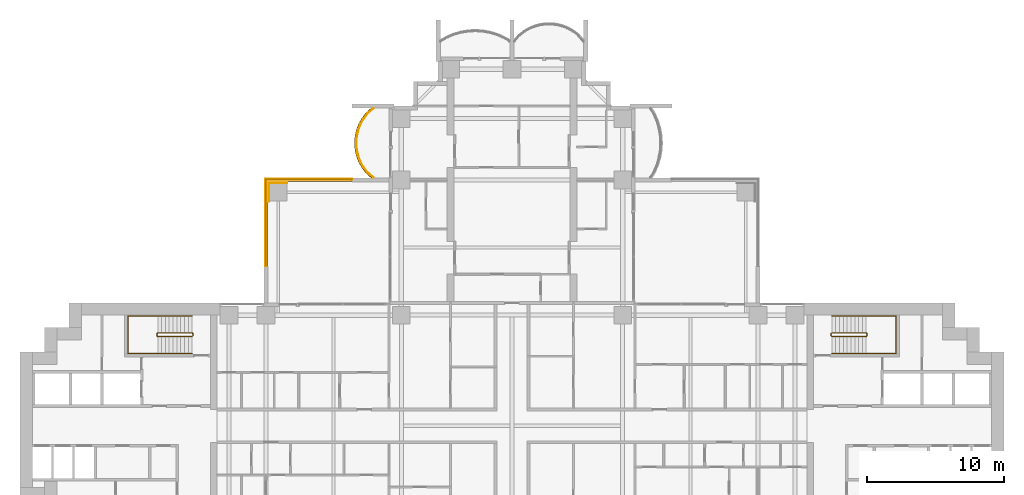
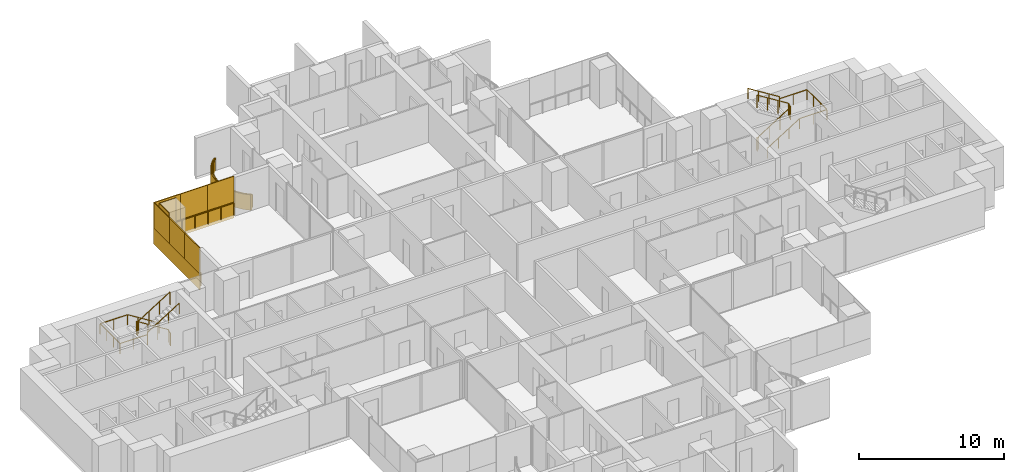
# One storey, part 20 of 21: 10 coverings, 6 railings.
"""IFC4 building model written with IfcOpenShell, lengths in metres."""

from ifc_helpers import new_model, si_unit, direction, frame, origin, origin_2d, place, context, subcontext, project, spatial, polyline, rectangle, outline, extrude, material, layer, layer_set, type_object, element, save


model = new_model("IFC4")

# Units and contexts
model_context = context("Model", 3, precision=1e-05, world=origin(), true_north=direction((0.0, 1.0)))
body_context = subcontext(model_context, "Body", "Model", "MODEL_VIEW")
ifc_project = project(units=[si_unit("LENGTHUNIT", "METRE"), si_unit("AREAUNIT", "SQUARE_METRE"), si_unit("VOLUMEUNIT", "CUBIC_METRE"), si_unit("PLANEANGLEUNIT", "RADIAN"), si_unit("MASSUNIT", "GRAM", prefix="KILO")], contexts=[model_context])

# Site, building, storey
site_placement = place(None, origin())
site = spatial("IfcSite", under=ifc_project, at=site_placement, CompositionType="ELEMENT")
building_placement = place(site_placement, origin())
building = spatial("IfcBuilding", under=site, at=building_placement, Name="Perihelion Cross Residences", CompositionType="ELEMENT")
storey_placement = place(building_placement, frame((0.0, 0.0, 57.5)))
storey = spatial("IfcBuildingStorey", under=building, at=storey_placement, Name="L11", CompositionType="ELEMENT", Elevation=57.5)

# Covering
ifc_material_1 = material(Name="Bronze anodised aluminium", Category="aluminium")
ifc_layer_1 = layer(ifc_material_1, 0.070068359375)
ifc_layer_set_1 = layer_set([ifc_layer_1], Name="Balcony fascia 1300")
covering_type_1 = type_object("IfcCoveringType", Name="Balcony fascia 1300", PredefinedType="CLADDING", material=ifc_layer_set_1)
covering_1_placement = place(storey_placement, frame((0.0, 0.0, -0.199951171875)))
element("IfcCovering", 1, at=covering_1_placement, inside=storey, type_object=covering_type_1, Name="Fascia BF1 L11 north side west bay 1", PredefinedType="CLADDING", context=body_context, shape_type="SweptSolid", body=[
    extrude(outline(polyline([(-10.674072265625, 22.90478515625), (-10.982666015625, 22.50390625), (-11.20654296875, 22.10302734375), (-11.364013671875, 21.7021484375), (-11.464599609375, 21.30126953125), (-11.513916015625, 20.900390625), (-11.513916015625, 20.49951171875), (-11.464599609375, 20.0986328125), (-11.364013671875, 19.69775390625), (-11.20654296875, 19.296875), (-10.982666015625, 18.89599609375), (-10.674072265625, 18.4951171875), (-10.302734375, 18.14990234375), (-10.199951171875, 18.14990234375), (-10.622314453125, 18.542236328125), (-10.924072265625, 18.9345703125), (-11.143310546875, 19.326904296875), (-11.29736328125, 19.71923828125), (-11.39599609375, 20.111572265625), (-11.444091796875, 20.50390625), (-11.444091796875, 20.896240234375), (-11.39599609375, 21.28857421875), (-11.29736328125, 21.6806640625), (-11.143310546875, 22.072998046875), (-10.924072265625, 22.46533203125), (-10.622314453125, 22.857666015625), (-10.199951171875, 23.25), (-10.302734375, 23.25), (-10.674072265625, 22.90478515625)])), origin(), (0.0, 0.0, 1.0), 1.300048828125),
])

# Railings
ifc_material_2 = material(Name="Bronze anodised aluminium", Category="aluminium")
railing_type_1 = type_object("IfcRailingType", Name="Balcony guard 1100", PredefinedType="GUARDRAIL", material=ifc_material_2)
railing_1_placement = place(storey_placement, frame((-10.139892578125, 23.22509765625, 0.0)))
element("IfcRailing", 2, at=railing_1_placement, inside=storey, type_object=railing_type_1, Name="Guard GU1 L11 north side west bay 1 balcony", PredefinedType="GUARDRAIL", context=body_context, shape_type="SweptSolid", body=[
    extrude(rectangle(XDim=0.048095703125, YDim=0.048095703125, at=origin_2d()), frame((0.0, 0.0, 1.076171875), z_axis=(-0.754464673757, -0.656340655493, 0.0), x_axis=(0.656340655493, -0.754464673757, 0.0)), (0.0, 0.0, 1.0), 0.559814453125),
    extrude(rectangle(XDim=0.048095703125, YDim=0.048095703125, at=origin_2d()), frame((-0.42236328125, -0.367431640625, 1.076171875), z_axis=(-0.60966308455, -0.792660660899, 0.0), x_axis=(0.792660660899, -0.60966308455, 0.0)), (0.0, 0.0, 1.0), 0.494873046875),
    extrude(rectangle(XDim=0.048095703125, YDim=0.048095703125, at=origin_2d()), frame((-0.72412109375, -0.759765625, 1.076171875), z_axis=(-0.487809182674, -0.872950285698, 0.0), x_axis=(0.872950285698, -0.487809182674, 0.0)), (0.0, 0.0, 1.0), 0.449462890625),
    extrude(rectangle(XDim=0.048095703125, YDim=0.048095703125, at=origin_2d()), frame((-0.943359375, -1.152099609375, 1.076171875), z_axis=(-0.365491079925, -0.930814842219, 0.0), x_axis=(0.930814842219, -0.365491079925, 0.0)), (0.0, 0.0, 1.0), 0.42138671875),
    extrude(rectangle(XDim=0.048095703125, YDim=0.048095703125, at=origin_2d()), frame((-1.097412109375, -1.54443359375, 1.076171875), z_axis=(-0.243956193074, -0.969786252666, 0.0), x_axis=(0.969786252666, -0.243956193074, 0.0)), (0.0, 0.0, 1.0), 0.404296875),
    extrude(rectangle(XDim=0.048095703125, YDim=0.048095703125, at=origin_2d()), frame((-1.196044921875, -1.9365234375, 1.076171875), z_axis=(-0.121677797999, -0.992569651699, 0.0), x_axis=(0.992569651699, -0.121677797999, 0.0)), (0.0, 0.0, 1.0), 0.395263671875),
    extrude(rectangle(XDim=0.048095703125, YDim=0.048095703125, at=origin_2d()), frame((-1.244140625, -2.328857421875, 1.076171875), z_axis=(0.0, -1.0, 0.0), x_axis=(1.0, 0.0, 0.0)), (0.0, 0.0, 1.0), 0.392333984375),
    extrude(rectangle(XDim=0.048095703125, YDim=0.048095703125, at=origin_2d()), frame((-1.244140625, -2.72119140625, 1.076171875), z_axis=(0.121677797999, -0.992569651699, 0.0), x_axis=(0.992569651699, 0.121677797999, 0.0)), (0.0, 0.0, 1.0), 0.395263671875),
    extrude(rectangle(XDim=0.048095703125, YDim=0.048095703125, at=origin_2d()), frame((-1.196044921875, -3.113525390625, 1.076171875), z_axis=(0.243813411509, -0.969822159145, 0.0), x_axis=(0.969822159145, 0.243813411509, 0.0)), (0.0, 0.0, 1.0), 0.404541015625),
    extrude(rectangle(XDim=0.048095703125, YDim=0.048095703125, at=origin_2d()), frame((-1.097412109375, -3.505859375, 1.076171875), z_axis=(0.365491079925, -0.930814842219, 0.0), x_axis=(0.930814842219, 0.365491079925, 0.0)), (0.0, 0.0, 1.0), 0.42138671875),
    extrude(rectangle(XDim=0.048095703125, YDim=0.048095703125, at=origin_2d()), frame((-0.943359375, -3.898193359375, 1.076171875), z_axis=(0.487809182674, -0.872950285698, 0.0), x_axis=(0.872950285698, 0.487809182674, 0.0)), (0.0, 0.0, 1.0), 0.449462890625),
    extrude(rectangle(XDim=0.048095703125, YDim=0.048095703125, at=origin_2d()), frame((-0.72412109375, -4.29052734375, 1.076171875), z_axis=(0.60966308455, -0.792660660899, 0.0), x_axis=(0.792660660899, 0.60966308455, 0.0)), (0.0, 0.0, 1.0), 0.494873046875),
    extrude(rectangle(XDim=0.048095703125, YDim=0.048095703125, at=origin_2d()), frame((-0.42236328125, -4.682861328125, 1.076171875), z_axis=(0.754680648599, -0.656092309534, 0.0), x_axis=(0.656092309534, 0.754680648599, 0.0)), (0.0, 0.0, 1.0), 0.5595703125),
    extrude(rectangle(XDim=0.0419921875, YDim=0.0419921875, at=origin_2d()), origin(), (0.0, 0.0, 1.0), 1.052001953125),
    extrude(rectangle(XDim=0.0419921875, YDim=0.0419921875, at=origin_2d()), frame((-0.42236328125, -0.367431640625, 0.0)), (0.0, 0.0, 1.0), 1.052001953125),
    extrude(rectangle(XDim=0.0419921875, YDim=0.0419921875, at=origin_2d()), frame((-0.72412109375, -0.759765625, 0.0)), (0.0, 0.0, 1.0), 1.052001953125),
    extrude(rectangle(XDim=0.0419921875, YDim=0.0419921875, at=origin_2d()), frame((-0.943359375, -1.152099609375, 0.0)), (0.0, 0.0, 1.0), 1.052001953125),
    extrude(rectangle(XDim=0.0419921875, YDim=0.0419921875, at=origin_2d()), frame((-1.097412109375, -1.54443359375, 0.0)), (0.0, 0.0, 1.0), 1.052001953125),
    extrude(rectangle(XDim=0.0419921875, YDim=0.0419921875, at=origin_2d()), frame((-1.196044921875, -1.9365234375, 0.0)), (0.0, 0.0, 1.0), 1.052001953125),
    extrude(rectangle(XDim=0.0419921875, YDim=0.0419921875, at=origin_2d()), frame((-1.244140625, -2.328857421875, 0.0)), (0.0, 0.0, 1.0), 1.052001953125),
    extrude(rectangle(XDim=0.0419921875, YDim=0.0419921875, at=origin_2d()), frame((-1.244140625, -2.72119140625, 0.0)), (0.0, 0.0, 1.0), 1.052001953125),
    extrude(rectangle(XDim=0.0419921875, YDim=0.0419921875, at=origin_2d()), frame((-1.196044921875, -3.113525390625, 0.0)), (0.0, 0.0, 1.0), 1.052001953125),
    extrude(rectangle(XDim=0.0419921875, YDim=0.0419921875, at=origin_2d()), frame((-1.097412109375, -3.505859375, 0.0)), (0.0, 0.0, 1.0), 1.052001953125),
    extrude(rectangle(XDim=0.0419921875, YDim=0.0419921875, at=origin_2d()), frame((-0.943359375, -3.898193359375, 0.0)), (0.0, 0.0, 1.0), 1.052001953125),
    extrude(rectangle(XDim=0.0419921875, YDim=0.0419921875, at=origin_2d()), frame((-0.72412109375, -4.29052734375, 0.0)), (0.0, 0.0, 1.0), 1.052001953125),
    extrude(rectangle(XDim=0.0419921875, YDim=0.0419921875, at=origin_2d()), frame((-0.42236328125, -4.682861328125, 0.0)), (0.0, 0.0, 1.0), 1.052001953125),
    extrude(rectangle(XDim=0.0419921875, YDim=0.0419921875, at=origin_2d()), frame((0.0, -5.050048828125, 0.0)), (0.0, 0.0, 1.0), 1.052001953125),
])
railing_2_placement = place(storey_placement, frame((-17.93994140625, 11.739990234375, 0.0)))
element("IfcRailing", 3, at=railing_2_placement, inside=storey, type_object=railing_type_1, Name="Guard GU1 L11 pocket north-west 1", PredefinedType="GUARDRAIL", context=body_context, shape_type="SweptSolid", body=[
    extrude(rectangle(XDim=0.048095703125, YDim=0.048095703125, at=origin_2d()), frame((0.0, 0.0, 1.076171875), z_axis=(0.0, 1.0, 0.0), x_axis=(-1.0, 0.0, 0.0)), (0.0, 0.0, 1.0), 6.199951171875),
    extrude(rectangle(XDim=0.048095703125, YDim=0.048095703125, at=origin_2d()), frame((0.0, 6.199951171875, 1.076171875), z_axis=(1.0, 0.0, 0.0), x_axis=(0.0, 1.0, 0.0)), (0.0, 0.0, 1.0), 6.199951171875),
    extrude(rectangle(XDim=0.0419921875, YDim=0.0419921875, at=origin_2d()), origin(), (0.0, 0.0, 1.0), 1.052001953125),
    extrude(rectangle(XDim=0.0419921875, YDim=0.0419921875, at=origin_2d()), frame((0.0, 1.033203125, 0.0)), (0.0, 0.0, 1.0), 1.052001953125),
    extrude(rectangle(XDim=0.0419921875, YDim=0.0419921875, at=origin_2d()), frame((0.0, 2.066650390625, 0.0)), (0.0, 0.0, 1.0), 1.052001953125),
    extrude(rectangle(XDim=0.0419921875, YDim=0.0419921875, at=origin_2d()), frame((0.0, 3.10009765625, 0.0)), (0.0, 0.0, 1.0), 1.052001953125),
    extrude(rectangle(XDim=0.0419921875, YDim=0.0419921875, at=origin_2d()), frame((0.0, 4.13330078125, 0.0)), (0.0, 0.0, 1.0), 1.052001953125),
    extrude(rectangle(XDim=0.0419921875, YDim=0.0419921875, at=origin_2d()), frame((0.0, 5.16650390625, 0.0)), (0.0, 0.0, 1.0), 1.052001953125),
    extrude(rectangle(XDim=0.0419921875, YDim=0.0419921875, at=origin_2d()), frame((0.0, 6.199951171875, 0.0)), (0.0, 0.0, 1.0), 1.052001953125),
    extrude(rectangle(XDim=0.0419921875, YDim=0.0419921875, at=origin_2d()), frame((1.033203125, 6.199951171875, 0.0)), (0.0, 0.0, 1.0), 1.052001953125),
    extrude(rectangle(XDim=0.0419921875, YDim=0.0419921875, at=origin_2d()), frame((2.066650390625, 6.199951171875, 0.0)), (0.0, 0.0, 1.0), 1.052001953125),
    extrude(rectangle(XDim=0.0419921875, YDim=0.0419921875, at=origin_2d()), frame((3.10009765625, 6.199951171875, 0.0)), (0.0, 0.0, 1.0), 1.052001953125),
    extrude(rectangle(XDim=0.0419921875, YDim=0.0419921875, at=origin_2d()), frame((4.13330078125, 6.199951171875, 0.0)), (0.0, 0.0, 1.0), 1.052001953125),
    extrude(rectangle(XDim=0.0419921875, YDim=0.0419921875, at=origin_2d()), frame((5.16650390625, 6.199951171875, 0.0)), (0.0, 0.0, 1.0), 1.052001953125),
    extrude(rectangle(XDim=0.0419921875, YDim=0.0419921875, at=origin_2d()), frame((6.199951171875, 6.199951171875, 0.0)), (0.0, 0.0, 1.0), 1.052001953125),
])

# Coverings
ifc_material_3 = material(Name="Bronze anodised aluminium", Category="aluminium")
ifc_layer_2 = layer(ifc_material_3, 0.0400390625)
ifc_layer_set_2 = layer_set([ifc_layer_2], Name="Bronze column casing 40")
covering_type_2 = type_object("IfcCoveringType", Name="Bronze column casing 40", PredefinedType="CLADDING", material=ifc_layer_set_2)
covering_2_placement = place(storey_placement, frame((-17.77001953125, 17.10009765625, -0.25), z_axis=(0.0, 0.0, 1.0), x_axis=(1.0, 0.0, 0.0)))
element("IfcCovering", 4, at=covering_2_placement, inside=storey, type_object=covering_type_2, Name="Cladding CC1 L11 casing east-west no. 2", PredefinedType="CLADDING", context=body_context, shape_type="SweptSolid", body=[
    extrude(rectangle(XDim=0.0400390625, YDim=1.3798828125, at=origin_2d()), origin(), (0.0, 0.0, 1.0), 3.5),
])
covering_3_placement = place(storey_placement, frame((-17.10009765625, 17.77001953125, -0.25), z_axis=(0.0, 0.0, 1.0), x_axis=(1.0, 0.0, 0.0)))
element("IfcCovering", 5, at=covering_3_placement, inside=storey, type_object=covering_type_2, Name="Cladding CC1 L11 casing north-south no. 2", PredefinedType="CLADDING", context=body_context, shape_type="SweptSolid", body=[
    extrude(rectangle(XDim=1.300048828125, YDim=0.0400390625, at=origin_2d()), origin(), (0.0, 0.0, 1.0), 3.5),
])
ifc_material_4 = material(Name="Bronze anodised aluminium", Category="aluminium")
ifc_layer_3 = layer(ifc_material_4, 0.070068359375)
ifc_layer_set_3 = layer_set([ifc_layer_3], Name="Pocket fascia 1350")
covering_type_3 = type_object("IfcCoveringType", Name="Pocket fascia 1350", PredefinedType="CLADDING", material=ifc_layer_set_3)
covering_4_placement = place(storey_placement, frame((0.0, 0.0, -0.25)))
element("IfcCovering", 6, at=covering_4_placement, inside=storey, type_object=covering_type_3, Name="Fascia BF2 L11 pocket north-west 3", PredefinedType="CLADDING", context=body_context, shape_type="SweptSolid", body=[
    extrude(outline(polyline([(-18.070068359375, 18.070068359375), (-18.070068359375, 11.699951171875), (-18.0, 11.699951171875), (-18.0, 18.0), (-11.699951171875, 18.0), (-11.699951171875, 18.070068359375), (-18.070068359375, 18.070068359375)])), origin(), (0.0, 0.0, 1.0), 1.35009765625),
])
ifc_material_5 = material(Name="Bronze perforated aluminium", Category="aluminium")
ifc_layer_4 = layer(ifc_material_5, 0.070068359375)
ifc_layer_set_4 = layer_set([ifc_layer_4], Name="Pocket solar screen, bronze perforated")
covering_type_4 = type_object("IfcCoveringType", Name="Pocket solar screen, bronze perforated", PredefinedType="CLADDING", material=ifc_layer_set_4)
covering_5_placement = place(storey_placement, frame((0.0, 0.0, 1.10009765625)))
element("IfcCovering", 7, at=covering_5_placement, inside=storey, type_object=covering_type_4, Name="Solar screen PS1 L11 pocket north-west no. 1", PredefinedType="CLADDING", context=body_context, shape_type="SweptSolid", body=[
    extrude(outline(polyline([(-18.0, 11.699951171875), (-18.0, 13.800048828125), (-18.070068359375, 13.800048828125), (-18.070068359375, 11.699951171875), (-18.0, 11.699951171875)])), origin(), (0.0, 0.0, 1.0), 2.14990234375),
])
covering_6_placement = place(storey_placement, frame((0.0, 0.0, 1.10009765625)))
element("IfcCovering", 8, at=covering_6_placement, inside=storey, type_object=covering_type_4, Name="Solar screen PS1 L11 pocket north-west no. 2", PredefinedType="CLADDING", context=body_context, shape_type="SweptSolid", body=[
    extrude(outline(polyline([(-18.0, 13.800048828125), (-18.0, 15.89990234375), (-18.070068359375, 15.89990234375), (-18.070068359375, 13.800048828125), (-18.0, 13.800048828125)])), origin(), (0.0, 0.0, 1.0), 2.14990234375),
])
covering_7_placement = place(storey_placement, frame((0.0, 0.0, 1.10009765625)))
element("IfcCovering", 9, at=covering_7_placement, inside=storey, type_object=covering_type_4, Name="Solar screen PS1 L11 pocket north-west no. 3", PredefinedType="CLADDING", context=body_context, shape_type="SweptSolid", body=[
    extrude(outline(polyline([(-18.0, 15.89990234375), (-18.0, 18.0), (-18.070068359375, 18.0), (-18.070068359375, 15.89990234375), (-18.0, 15.89990234375)])), origin(), (0.0, 0.0, 1.0), 2.14990234375),
])
covering_8_placement = place(storey_placement, frame((0.0, 0.0, 1.10009765625)))
element("IfcCovering", 10, at=covering_8_placement, inside=storey, type_object=covering_type_4, Name="Solar screen PS1 L11 pocket north-west no. 4", PredefinedType="CLADDING", context=body_context, shape_type="SweptSolid", body=[
    extrude(outline(polyline([(-15.94677734375, 18.0), (-15.94677734375, 18.070068359375), (-18.070068359375, 18.070068359375), (-18.070068359375, 18.0), (-15.94677734375, 18.0)])), origin(), (0.0, 0.0, 1.0), 2.14990234375),
])
covering_9_placement = place(storey_placement, frame((0.0, 0.0, 1.10009765625)))
element("IfcCovering", 11, at=covering_9_placement, inside=storey, type_object=covering_type_4, Name="Solar screen PS1 L11 pocket north-west no. 5", PredefinedType="CLADDING", context=body_context, shape_type="SweptSolid", body=[
    extrude(outline(polyline([(-13.8232421875, 18.0), (-13.8232421875, 18.070068359375), (-15.94677734375, 18.070068359375), (-15.94677734375, 18.0), (-13.8232421875, 18.0)])), origin(), (0.0, 0.0, 1.0), 2.14990234375),
])
covering_10_placement = place(storey_placement, frame((0.0, 0.0, 1.10009765625)))
element("IfcCovering", 12, at=covering_10_placement, inside=storey, type_object=covering_type_4, Name="Solar screen PS1 L11 pocket north-west no. 6", PredefinedType="CLADDING", context=body_context, shape_type="SweptSolid", body=[
    extrude(outline(polyline([(-11.699951171875, 18.0), (-11.699951171875, 18.070068359375), (-13.8232421875, 18.070068359375), (-13.8232421875, 18.0), (-11.699951171875, 18.0)])), origin(), (0.0, 0.0, 1.0), 2.14990234375),
])

# Railings
ifc_material_6 = material(Name="Stainless steel", Category="steel")
railing_type_2 = type_object("IfcRailingType", Name="Stair guard 1100", PredefinedType="GUARDRAIL", material=ifc_material_6)
railing_3_placement = place(storey_placement, frame((23.35009765625, 6.75, 0.0)))
element("IfcRailing", 13, at=railing_3_placement, inside=storey, type_object=railing_type_2, Name="L11 ST-E1 stair guard 1", PredefinedType="GUARDRAIL", context=body_context, shape_type="SweptSolid", body=[
    extrude(rectangle(XDim=0.048095703125, YDim=0.048095703125, at=origin_2d()), frame((0.0, 0.0, 1.076171875), z_axis=(0.0, -1.0, 0.0), x_axis=(1.0, 0.0, 0.0)), (0.0, 0.0, 1.0), 0.14990234375),
    extrude(rectangle(XDim=0.048095703125, YDim=0.048095703125, at=origin_2d()), frame((0.0, -0.14990234375, 1.076171875), z_axis=(0.263862480399, -0.265155923931, 0.927399011991), x_axis=(0.708833529934, 0.705375805398, 0.0)), (0.0, 0.0, 1.0), 0.188720703125),
    extrude(rectangle(XDim=0.048095703125, YDim=0.048095703125, at=origin_2d()), frame((0.0498046875, -0.199951171875, 1.2509765625), z_axis=(0.848007534815, 0.0, 0.529984170421), x_axis=(0.0, 1.0, 0.0)), (0.0, 0.0, 1.0), 2.9716796875),
    extrude(rectangle(XDim=0.048095703125, YDim=0.048095703125, at=origin_2d()), frame((2.56982421875, -0.199951171875, 2.826171875), z_axis=(0.707106781187, 0.707106781187, 0.0), x_axis=(-0.707106781187, 0.707106781187, 0.0)), (0.0, 0.0, 1.0), 0.07080078125),
    extrude(rectangle(XDim=0.048095703125, YDim=0.048095703125, at=origin_2d()), frame((2.619873046875, -0.14990234375, 2.826171875), z_axis=(0.0, 1.0, 0.0), x_axis=(-1.0, 0.0, 0.0)), (0.0, 0.0, 1.0), 0.14990234375),
    extrude(rectangle(XDim=0.048095703125, YDim=0.048095703125, at=origin_2d()), frame((2.619873046875, 0.0, 2.826171875), z_axis=(-0.265065253269, 0.265065253269, 0.927081885822), x_axis=(-0.707106781187, -0.707106781187, 0.0)), (0.0, 0.0, 1.0), 0.188720703125),
    extrude(rectangle(XDim=0.048095703125, YDim=0.048095703125, at=origin_2d()), frame((2.56982421875, 0.050048828125, 3.0009765625), z_axis=(-0.848007534815, 0.0, 0.529984170421), x_axis=(0.0, -1.0, 0.0)), (0.0, 0.0, 1.0), 2.9716796875),
    extrude(rectangle(XDim=0.0419921875, YDim=0.0419921875, at=origin_2d()), origin(), (0.0, 0.0, 1.0), 1.052001953125),
    extrude(rectangle(XDim=0.0419921875, YDim=0.0419921875, at=origin_2d()), frame((0.0, -0.14990234375, 0.0)), (0.0, 0.0, 1.0), 1.052001953125),
    extrude(rectangle(XDim=0.0419921875, YDim=0.0419921875, at=origin_2d()), frame((0.0498046875, -0.199951171875, 0.175048828125)), (0.0, 0.0, 1.0), 1.052001953125),
    extrude(rectangle(XDim=0.0419921875, YDim=0.0419921875, at=origin_2d()), frame((0.889892578125, -0.199951171875, 0.699951171875)), (0.0, 0.0, 1.0), 1.052001953125),
    extrude(rectangle(XDim=0.0419921875, YDim=0.0419921875, at=origin_2d()), frame((1.729736328125, -0.199951171875, 1.22509765625)), (0.0, 0.0, 1.0), 1.052001953125),
    extrude(rectangle(XDim=0.0419921875, YDim=0.0419921875, at=origin_2d()), frame((2.56982421875, -0.199951171875, 1.75)), (0.0, 0.0, 1.0), 1.052001953125),
    extrude(rectangle(XDim=0.0419921875, YDim=0.0419921875, at=origin_2d()), frame((2.619873046875, -0.14990234375, 1.75)), (0.0, 0.0, 1.0), 1.052001953125),
    extrude(rectangle(XDim=0.0419921875, YDim=0.0419921875, at=origin_2d()), frame((2.619873046875, 0.0, 1.75)), (0.0, 0.0, 1.0), 1.052001953125),
    extrude(rectangle(XDim=0.0419921875, YDim=0.0419921875, at=origin_2d()), frame((2.56982421875, 0.050048828125, 1.925048828125)), (0.0, 0.0, 1.0), 1.052001953125),
    extrude(rectangle(XDim=0.0419921875, YDim=0.0419921875, at=origin_2d()), frame((1.729736328125, 0.050048828125, 2.449951171875)), (0.0, 0.0, 1.0), 1.052001953125),
    extrude(rectangle(XDim=0.0419921875, YDim=0.0419921875, at=origin_2d()), frame((0.889892578125, 0.050048828125, 2.97509765625)), (0.0, 0.0, 1.0), 1.052001953125),
    extrude(rectangle(XDim=0.0419921875, YDim=0.0419921875, at=origin_2d()), frame((0.0498046875, 0.050048828125, 3.5)), (0.0, 0.0, 1.0), 1.052001953125),
])
railing_4_placement = place(storey_placement, frame((-23.35009765625, 6.60009765625, 0.0)))
element("IfcRailing", 14, at=railing_4_placement, inside=storey, type_object=railing_type_2, Name="L11 ST-W1 stair guard 1", PredefinedType="GUARDRAIL", context=body_context, shape_type="SweptSolid", body=[
    extrude(rectangle(XDim=0.048095703125, YDim=0.048095703125, at=origin_2d()), frame((0.0, 0.0, 1.076171875), z_axis=(0.0, 1.0, 0.0), x_axis=(-1.0, 0.0, 0.0)), (0.0, 0.0, 1.0), 0.14990234375),
    extrude(rectangle(XDim=0.048095703125, YDim=0.048095703125, at=origin_2d()), frame((0.0, 0.14990234375, 1.076171875), z_axis=(-0.263862480399, 0.265155923931, 0.927399011991), x_axis=(-0.708833529934, -0.705375805398, 0.0)), (0.0, 0.0, 1.0), 0.188720703125),
    extrude(rectangle(XDim=0.048095703125, YDim=0.048095703125, at=origin_2d()), frame((-0.0498046875, 0.199951171875, 1.2509765625), z_axis=(-0.848007534815, 0.0, 0.529984170421), x_axis=(0.0, -1.0, 0.0)), (0.0, 0.0, 1.0), 2.9716796875),
    extrude(rectangle(XDim=0.048095703125, YDim=0.048095703125, at=origin_2d()), frame((-2.56982421875, 0.199951171875, 2.826171875), z_axis=(-0.707106781187, -0.707106781187, 0.0), x_axis=(0.707106781187, -0.707106781187, 0.0)), (0.0, 0.0, 1.0), 0.07080078125),
    extrude(rectangle(XDim=0.048095703125, YDim=0.048095703125, at=origin_2d()), frame((-2.619873046875, 0.14990234375, 2.826171875), z_axis=(0.0, -1.0, 0.0), x_axis=(1.0, 0.0, 0.0)), (0.0, 0.0, 1.0), 0.14990234375),
    extrude(rectangle(XDim=0.048095703125, YDim=0.048095703125, at=origin_2d()), frame((-2.619873046875, 0.0, 2.826171875), z_axis=(0.265065253269, -0.265065253269, 0.927081885822), x_axis=(0.707106781187, 0.707106781187, 0.0)), (0.0, 0.0, 1.0), 0.188720703125),
    extrude(rectangle(XDim=0.048095703125, YDim=0.048095703125, at=origin_2d()), frame((-2.56982421875, -0.050048828125, 3.0009765625), z_axis=(0.848007534815, 0.0, 0.529984170421), x_axis=(0.0, 1.0, 0.0)), (0.0, 0.0, 1.0), 2.9716796875),
    extrude(rectangle(XDim=0.0419921875, YDim=0.0419921875, at=origin_2d()), origin(), (0.0, 0.0, 1.0), 1.052001953125),
    extrude(rectangle(XDim=0.0419921875, YDim=0.0419921875, at=origin_2d()), frame((0.0, 0.14990234375, 0.0)), (0.0, 0.0, 1.0), 1.052001953125),
    extrude(rectangle(XDim=0.0419921875, YDim=0.0419921875, at=origin_2d()), frame((-0.0498046875, 0.199951171875, 0.175048828125)), (0.0, 0.0, 1.0), 1.052001953125),
    extrude(rectangle(XDim=0.0419921875, YDim=0.0419921875, at=origin_2d()), frame((-0.889892578125, 0.199951171875, 0.699951171875)), (0.0, 0.0, 1.0), 1.052001953125),
    extrude(rectangle(XDim=0.0419921875, YDim=0.0419921875, at=origin_2d()), frame((-1.729736328125, 0.199951171875, 1.22509765625)), (0.0, 0.0, 1.0), 1.052001953125),
    extrude(rectangle(XDim=0.0419921875, YDim=0.0419921875, at=origin_2d()), frame((-2.56982421875, 0.199951171875, 1.75)), (0.0, 0.0, 1.0), 1.052001953125),
    extrude(rectangle(XDim=0.0419921875, YDim=0.0419921875, at=origin_2d()), frame((-2.619873046875, 0.14990234375, 1.75)), (0.0, 0.0, 1.0), 1.052001953125),
    extrude(rectangle(XDim=0.0419921875, YDim=0.0419921875, at=origin_2d()), frame((-2.619873046875, 0.0, 1.75)), (0.0, 0.0, 1.0), 1.052001953125),
    extrude(rectangle(XDim=0.0419921875, YDim=0.0419921875, at=origin_2d()), frame((-2.56982421875, -0.050048828125, 1.925048828125)), (0.0, 0.0, 1.0), 1.052001953125),
    extrude(rectangle(XDim=0.0419921875, YDim=0.0419921875, at=origin_2d()), frame((-1.729736328125, -0.050048828125, 2.449951171875)), (0.0, 0.0, 1.0), 1.052001953125),
    extrude(rectangle(XDim=0.0419921875, YDim=0.0419921875, at=origin_2d()), frame((-0.889892578125, -0.050048828125, 2.97509765625)), (0.0, 0.0, 1.0), 1.052001953125),
    extrude(rectangle(XDim=0.0419921875, YDim=0.0419921875, at=origin_2d()), frame((-0.0498046875, -0.050048828125, 3.5)), (0.0, 0.0, 1.0), 1.052001953125),
])
ifc_material_7 = material(Name="Stainless steel", Category="steel")
railing_type_3 = type_object("IfcRailingType", Name="Stair handrail 900", PredefinedType="HANDRAIL", material=ifc_material_7)
railing_5_placement = place(storey_placement, frame((23.39990234375, 5.300048828125, 0.175048828125)))
element("IfcRailing", 15, at=railing_5_placement, inside=storey, type_object=railing_type_3, Name="L11 ST-E1 stair handrail 1", PredefinedType="HANDRAIL", context=body_context, shape_type="SweptSolid", body=[
    extrude(rectangle(XDim=0.048095703125, YDim=0.048095703125, at=origin_2d()), frame((0.0, 0.0, 0.8759765625), z_axis=(0.848007534815, 0.0, 0.529984170421), x_axis=(0.0, 1.0, 0.0)), (0.0, 0.0, 1.0), 2.9716796875),
    extrude(rectangle(XDim=0.048095703125, YDim=0.048095703125, at=origin_2d()), frame((2.52001953125, 0.0, 2.45068359375), z_axis=(1.0, 0.0, 0.0), x_axis=(0.0, 1.0, 0.0)), (0.0, 0.0, 1.0), 2.18017578125),
    extrude(rectangle(XDim=0.048095703125, YDim=0.048095703125, at=origin_2d()), frame((4.7001953125, 0.0, 2.45068359375), z_axis=(0.0, 1.0, 0.0), x_axis=(-1.0, 0.0, 0.0)), (0.0, 0.0, 1.0), 2.75),
    extrude(rectangle(XDim=0.048095703125, YDim=0.048095703125, at=origin_2d()), frame((4.7001953125, 2.75, 2.45068359375), z_axis=(-1.0, 0.0, 0.0), x_axis=(0.0, -1.0, 0.0)), (0.0, 0.0, 1.0), 2.18017578125),
    extrude(rectangle(XDim=0.048095703125, YDim=0.048095703125, at=origin_2d()), frame((2.52001953125, 2.75, 2.45068359375), z_axis=(0.0, 0.0, 1.0), x_axis=(1.0, 0.0, 0.0)), (0.0, 0.0, 1.0), 0.175048828125),
    extrude(rectangle(XDim=0.048095703125, YDim=0.048095703125, at=origin_2d()), frame((2.52001953125, 2.75, 2.6259765625), z_axis=(-0.848007534815, 0.0, 0.529984170421), x_axis=(0.0, -1.0, 0.0)), (0.0, 0.0, 1.0), 2.9716796875),
    extrude(rectangle(XDim=0.0419921875, YDim=0.0419921875, at=origin_2d()), origin(), (0.0, 0.0, 1.0), 0.851806640625),
    extrude(rectangle(XDim=0.0419921875, YDim=0.0419921875, at=origin_2d()), frame((0.840087890625, 0.0, 0.52490234375)), (0.0, 0.0, 1.0), 0.851806640625),
    extrude(rectangle(XDim=0.0419921875, YDim=0.0419921875, at=origin_2d()), frame((1.679931640625, 0.0, 1.050048828125)), (0.0, 0.0, 1.0), 0.851806640625),
    extrude(rectangle(XDim=0.0419921875, YDim=0.0419921875, at=origin_2d()), frame((2.52001953125, 0.0, 1.574951171875)), (0.0, 0.0, 1.0), 0.851806640625),
    extrude(rectangle(XDim=0.0419921875, YDim=0.0419921875, at=origin_2d()), frame((3.610107421875, 0.0, 1.574951171875)), (0.0, 0.0, 1.0), 0.851806640625),
    extrude(rectangle(XDim=0.0419921875, YDim=0.0419921875, at=origin_2d()), frame((4.7001953125, 0.0, 1.574951171875)), (0.0, 0.0, 1.0), 0.851806640625),
    extrude(rectangle(XDim=0.0419921875, YDim=0.0419921875, at=origin_2d()), frame((4.7001953125, 0.916748046875, 1.574951171875)), (0.0, 0.0, 1.0), 0.851806640625),
    extrude(rectangle(XDim=0.0419921875, YDim=0.0419921875, at=origin_2d()), frame((4.7001953125, 1.833251953125, 1.574951171875)), (0.0, 0.0, 1.0), 0.851806640625),
    extrude(rectangle(XDim=0.0419921875, YDim=0.0419921875, at=origin_2d()), frame((4.7001953125, 2.75, 1.574951171875)), (0.0, 0.0, 1.0), 0.851806640625),
    extrude(rectangle(XDim=0.0419921875, YDim=0.0419921875, at=origin_2d()), frame((3.610107421875, 2.75, 1.574951171875)), (0.0, 0.0, 1.0), 0.851806640625),
    extrude(rectangle(XDim=0.0419921875, YDim=0.0419921875, at=origin_2d()), frame((2.52001953125, 2.75, 1.574951171875)), (0.0, 0.0, 1.0), 0.851806640625),
    extrude(rectangle(XDim=0.0419921875, YDim=0.0419921875, at=origin_2d()), frame((2.52001953125, 2.75, 1.75)), (0.0, 0.0, 1.0), 0.851806640625),
    extrude(rectangle(XDim=0.0419921875, YDim=0.0419921875, at=origin_2d()), frame((1.679931640625, 2.75, 2.27490234375)), (0.0, 0.0, 1.0), 0.851806640625),
    extrude(rectangle(XDim=0.0419921875, YDim=0.0419921875, at=origin_2d()), frame((0.840087890625, 2.75, 2.800048828125)), (0.0, 0.0, 1.0), 0.851806640625),
    extrude(rectangle(XDim=0.0419921875, YDim=0.0419921875, at=origin_2d()), frame((0.0, 2.75, 3.324951171875)), (0.0, 0.0, 1.0), 0.851806640625),
])
railing_6_placement = place(storey_placement, frame((-23.39990234375, 8.050048828125, 0.175048828125)))
element("IfcRailing", 16, at=railing_6_placement, inside=storey, type_object=railing_type_3, Name="L11 ST-W1 stair handrail 1", PredefinedType="HANDRAIL", context=body_context, shape_type="SweptSolid", body=[
    extrude(rectangle(XDim=0.048095703125, YDim=0.048095703125, at=origin_2d()), frame((0.0, 0.0, 0.8759765625), z_axis=(-0.848007534815, 0.0, 0.529984170421), x_axis=(0.0, -1.0, 0.0)), (0.0, 0.0, 1.0), 2.9716796875),
    extrude(rectangle(XDim=0.048095703125, YDim=0.048095703125, at=origin_2d()), frame((-2.52001953125, 0.0, 2.45068359375), z_axis=(-1.0, 0.0, 0.0), x_axis=(0.0, -1.0, 0.0)), (0.0, 0.0, 1.0), 2.18017578125),
    extrude(rectangle(XDim=0.048095703125, YDim=0.048095703125, at=origin_2d()), frame((-4.7001953125, 0.0, 2.45068359375), z_axis=(0.0, -1.0, 0.0), x_axis=(1.0, 0.0, 0.0)), (0.0, 0.0, 1.0), 2.75),
    extrude(rectangle(XDim=0.048095703125, YDim=0.048095703125, at=origin_2d()), frame((-4.7001953125, -2.75, 2.45068359375), z_axis=(1.0, 0.0, 0.0), x_axis=(0.0, 1.0, 0.0)), (0.0, 0.0, 1.0), 2.18017578125),
    extrude(rectangle(XDim=0.048095703125, YDim=0.048095703125, at=origin_2d()), frame((-2.52001953125, -2.75, 2.45068359375), z_axis=(0.0, 0.0, 1.0), x_axis=(1.0, 0.0, 0.0)), (0.0, 0.0, 1.0), 0.175048828125),
    extrude(rectangle(XDim=0.048095703125, YDim=0.048095703125, at=origin_2d()), frame((-2.52001953125, -2.75, 2.6259765625), z_axis=(0.848007534815, 0.0, 0.529984170421), x_axis=(0.0, 1.0, 0.0)), (0.0, 0.0, 1.0), 2.9716796875),
    extrude(rectangle(XDim=0.0419921875, YDim=0.0419921875, at=origin_2d()), origin(), (0.0, 0.0, 1.0), 0.851806640625),
    extrude(rectangle(XDim=0.0419921875, YDim=0.0419921875, at=origin_2d()), frame((-0.840087890625, 0.0, 0.52490234375)), (0.0, 0.0, 1.0), 0.851806640625),
    extrude(rectangle(XDim=0.0419921875, YDim=0.0419921875, at=origin_2d()), frame((-1.679931640625, 0.0, 1.050048828125)), (0.0, 0.0, 1.0), 0.851806640625),
    extrude(rectangle(XDim=0.0419921875, YDim=0.0419921875, at=origin_2d()), frame((-2.52001953125, 0.0, 1.574951171875)), (0.0, 0.0, 1.0), 0.851806640625),
    extrude(rectangle(XDim=0.0419921875, YDim=0.0419921875, at=origin_2d()), frame((-3.610107421875, 0.0, 1.574951171875)), (0.0, 0.0, 1.0), 0.851806640625),
    extrude(rectangle(XDim=0.0419921875, YDim=0.0419921875, at=origin_2d()), frame((-4.7001953125, 0.0, 1.574951171875)), (0.0, 0.0, 1.0), 0.851806640625),
    extrude(rectangle(XDim=0.0419921875, YDim=0.0419921875, at=origin_2d()), frame((-4.7001953125, -0.916748046875, 1.574951171875)), (0.0, 0.0, 1.0), 0.851806640625),
    extrude(rectangle(XDim=0.0419921875, YDim=0.0419921875, at=origin_2d()), frame((-4.7001953125, -1.833251953125, 1.574951171875)), (0.0, 0.0, 1.0), 0.851806640625),
    extrude(rectangle(XDim=0.0419921875, YDim=0.0419921875, at=origin_2d()), frame((-4.7001953125, -2.75, 1.574951171875)), (0.0, 0.0, 1.0), 0.851806640625),
    extrude(rectangle(XDim=0.0419921875, YDim=0.0419921875, at=origin_2d()), frame((-3.610107421875, -2.75, 1.574951171875)), (0.0, 0.0, 1.0), 0.851806640625),
    extrude(rectangle(XDim=0.0419921875, YDim=0.0419921875, at=origin_2d()), frame((-2.52001953125, -2.75, 1.574951171875)), (0.0, 0.0, 1.0), 0.851806640625),
    extrude(rectangle(XDim=0.0419921875, YDim=0.0419921875, at=origin_2d()), frame((-2.52001953125, -2.75, 1.75)), (0.0, 0.0, 1.0), 0.851806640625),
    extrude(rectangle(XDim=0.0419921875, YDim=0.0419921875, at=origin_2d()), frame((-1.679931640625, -2.75, 2.27490234375)), (0.0, 0.0, 1.0), 0.851806640625),
    extrude(rectangle(XDim=0.0419921875, YDim=0.0419921875, at=origin_2d()), frame((-0.840087890625, -2.75, 2.800048828125)), (0.0, 0.0, 1.0), 0.851806640625),
    extrude(rectangle(XDim=0.0419921875, YDim=0.0419921875, at=origin_2d()), frame((0.0, -2.75, 3.324951171875)), (0.0, 0.0, 1.0), 0.851806640625),
])

save(model, "model.ifc")
